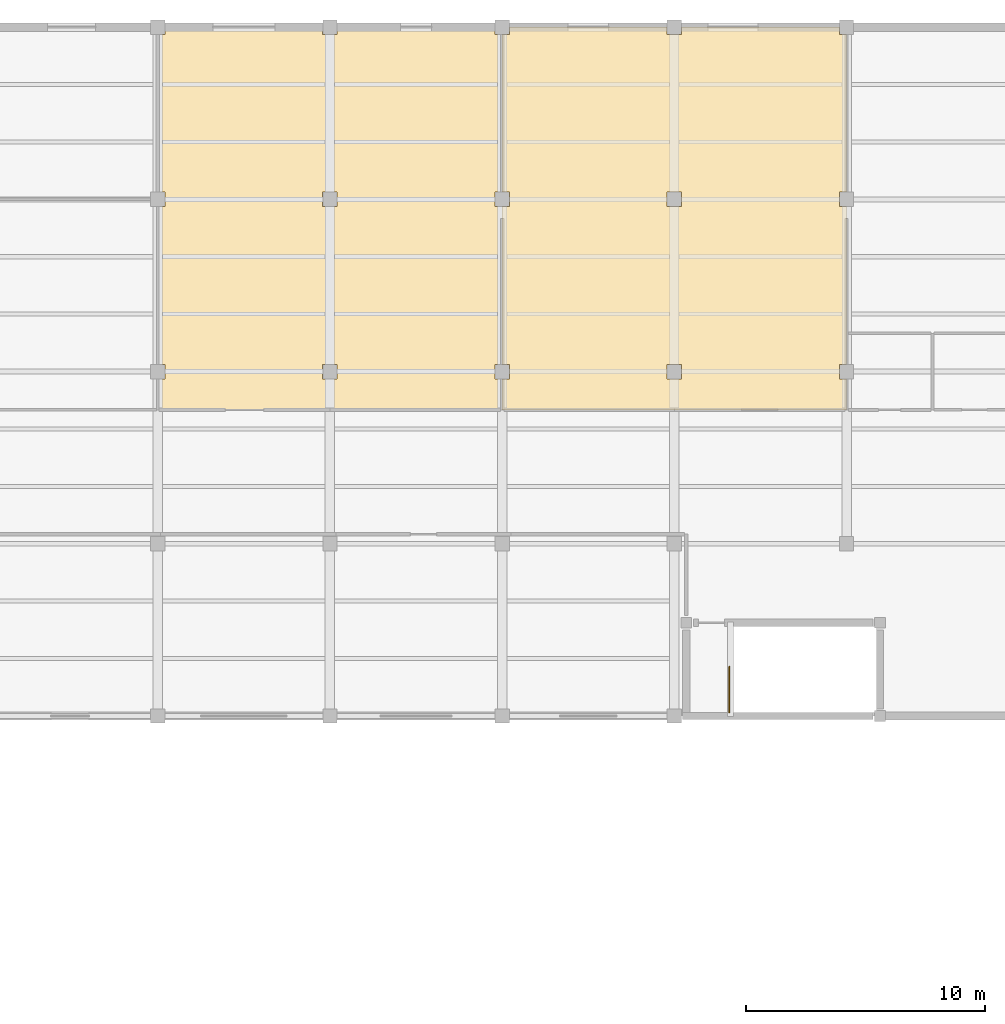
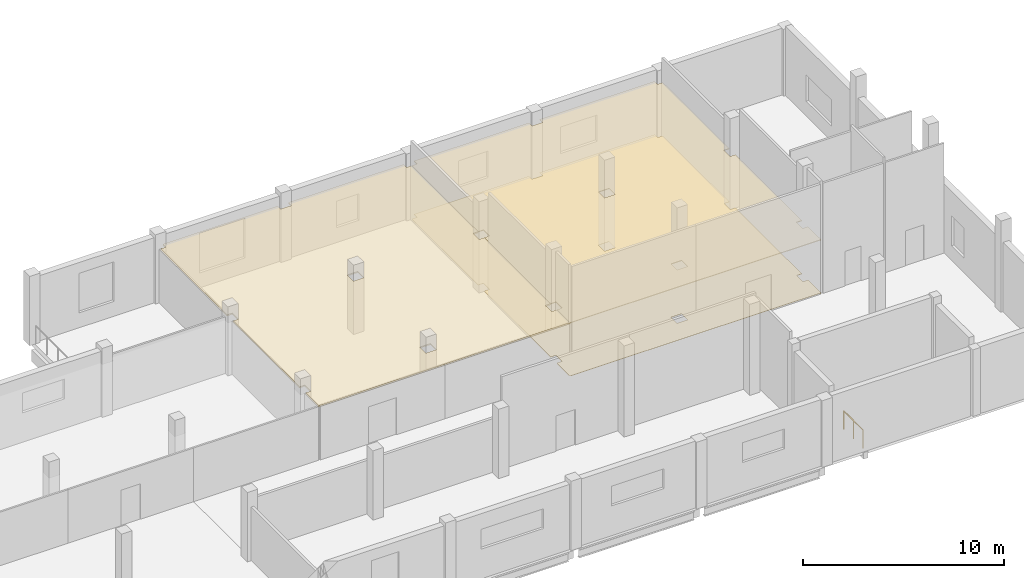
# One storey, part 48 of 48: 3 coverings, 1 railing.
"""IFC4 building model written with IfcOpenShell, lengths in metres."""

from ifc_helpers import new_model, si_unit, direction, frame, origin, origin_2d, place, context, subcontext, project, spatial, polyline, circle, outline, extrude, material, layer, layer_set, type_object, element, save


model = new_model("IFC4")

# Units and contexts
model_context = context("Model", 3, precision=1e-05, world=origin(), true_north=direction((0.0, 1.0)))
body_context = subcontext(model_context, "Body", "Model", "MODEL_VIEW")
ifc_project = project(units=[si_unit("LENGTHUNIT", "METRE"), si_unit("AREAUNIT", "SQUARE_METRE"), si_unit("VOLUMEUNIT", "CUBIC_METRE"), si_unit("PLANEANGLEUNIT", "RADIAN"), si_unit("MASSUNIT", "GRAM", prefix="KILO"), si_unit("THERMODYNAMICTEMPERATUREUNIT", "KELVIN"), si_unit("POWERUNIT", "WATT")], contexts=[model_context])

# Site, building, storey
site_placement = place(None, origin())
site = spatial("IfcSite", under=ifc_project, at=site_placement, CompositionType="ELEMENT")
building_placement = place(site_placement, origin())
building = spatial("IfcBuilding", under=site, at=building_placement, Name="Kaldorven Railside Theatre", CompositionType="ELEMENT")
storey_placement = place(building_placement, frame((0.0, 0.0, 18.89990234375)))
storey = spatial("IfcBuildingStorey", under=building, at=storey_placement, Name="L04", CompositionType="ELEMENT", Elevation=18.89990234375)

# Coverings
ifc_material_1 = material(Name="Acoustic gypsum board")
ifc_layer_1 = layer(ifc_material_1, 0.0400390625, Name="Acoustic gypsum board")
ifc_layer_set_1 = layer_set([ifc_layer_1], Name="Acoustic gypsum board")
covering_type_1 = type_object("IfcCoveringType", Name="COV-CLG-01", PredefinedType="CEILING", material=ifc_layer_set_1)
covering_1_placement = place(storey_placement, frame((0.0, 0.0, 3.210205078125)))
element("IfcCovering", 1, at=covering_1_placement, inside=storey, type_object=covering_type_1, Name="Company Canteen Acoustic Ceiling 025", PredefinedType="CEILING", context=body_context, shape_type="SweptSolid", body=[
    extrude(outline(polyline([(159.199951171875, 125.60009765625), (144.800048828125, 125.60009765625), (144.800048828125, 126.89794921875), (145.10205078125, 126.89794921875), (145.10205078125, 127.501953125), (144.800048828125, 127.501953125), (144.800048828125, 134.097900390625), (145.10205078125, 134.097900390625), (145.10205078125, 134.701904296875), (144.800048828125, 134.701904296875), (144.800048828125, 141.298095703125), (145.10205078125, 141.298095703125), (145.10205078125, 141.60009765625), (151.697998046875, 141.60009765625), (151.697998046875, 141.298095703125), (152.302001953125, 141.298095703125), (152.302001953125, 141.60009765625), (158.89794921875, 141.60009765625), (158.89794921875, 141.298095703125), (159.199951171875, 141.298095703125), (159.199951171875, 134.701904296875), (158.89794921875, 134.701904296875), (158.89794921875, 134.097900390625), (159.199951171875, 134.097900390625), (159.199951171875, 127.501953125), (158.89794921875, 127.501953125), (158.89794921875, 126.89794921875), (159.199951171875, 126.89794921875), (159.199951171875, 125.60009765625)]), holes=[polyline([(151.697998046875, 126.89794921875), (152.302001953125, 126.89794921875), (152.302001953125, 127.501953125), (151.697998046875, 127.501953125), (151.697998046875, 126.89794921875)]), polyline([(151.697998046875, 134.097900390625), (152.302001953125, 134.097900390625), (152.302001953125, 134.701904296875), (151.697998046875, 134.701904296875), (151.697998046875, 134.097900390625)])]), origin(), (0.0, 0.0, 1.0), 0.039794921875),
])
ifc_material_2 = material(Name="Acoustic hardwood timber", Category="wood")
ifc_layer_2 = layer(ifc_material_2, 0.080078125, Name="Acoustic hardwood timber")
ifc_layer_set_2 = layer_set([ifc_layer_2], Name="Acoustic hardwood timber")
covering_type_2 = type_object("IfcCoveringType", Name="COV-CLG-02", PredefinedType="CEILING", material=ifc_layer_set_2)
covering_2_placement = place(storey_placement, frame((0.0, 0.0, 3.170166015625)))
element("IfcCovering", 2, at=covering_2_placement, inside=storey, type_object=covering_type_2, Name="Production Design Studio Acoustic Ceiling 024", PredefinedType="CEILING", context=body_context, shape_type="SweptSolid", body=[
    extrude(outline(polyline([(144.800048828125, 125.60009765625), (130.39990234375, 125.60009765625), (130.39990234375, 126.89794921875), (130.701904296875, 126.89794921875), (130.701904296875, 127.501953125), (130.39990234375, 127.501953125), (130.39990234375, 134.097900390625), (130.701904296875, 134.097900390625), (130.701904296875, 134.701904296875), (130.39990234375, 134.701904296875), (130.39990234375, 141.298095703125), (130.701904296875, 141.298095703125), (130.701904296875, 141.60009765625), (137.298095703125, 141.60009765625), (137.298095703125, 141.298095703125), (137.902099609375, 141.298095703125), (137.902099609375, 141.60009765625), (144.498046875, 141.60009765625), (144.498046875, 141.298095703125), (144.800048828125, 141.298095703125), (144.800048828125, 134.701904296875), (144.498046875, 134.701904296875), (144.498046875, 134.097900390625), (144.800048828125, 134.097900390625), (144.800048828125, 127.501953125), (144.498046875, 127.501953125), (144.498046875, 126.89794921875), (144.800048828125, 126.89794921875), (144.800048828125, 125.60009765625)]), holes=[polyline([(137.298095703125, 134.097900390625), (137.902099609375, 134.097900390625), (137.902099609375, 134.701904296875), (137.298095703125, 134.701904296875), (137.298095703125, 134.097900390625)]), polyline([(137.298095703125, 127.501953125), (137.298095703125, 126.89794921875), (137.902099609375, 126.89794921875), (137.902099609375, 127.501953125), (137.298095703125, 127.501953125)])]), origin(), (0.0, 0.0, 1.0), 0.079833984375),
])
ifc_material_3 = material(Name="Terrazzo stone finish", Category="masonry")
ifc_layer_3 = layer(ifc_material_3, 0.02001953125, Name="Terrazzo stone finish")
ifc_layer_set_3 = layer_set([ifc_layer_3], Name="Terrazzo stone finish")
covering_type_3 = type_object("IfcCoveringType", Name="COV-FLR-02", PredefinedType="FLOORING", material=ifc_layer_set_3)
covering_3_placement = place(storey_placement, origin())
element("IfcCovering", 3, at=covering_3_placement, inside=storey, type_object=covering_type_3, Name="Company Canteen Finish Flooring FLR-011", PredefinedType="FLOORING", context=body_context, shape_type="SweptSolid", body=[
    extrude(outline(polyline([(159.199951171875, 125.60009765625), (144.800048828125, 125.60009765625), (144.800048828125, 126.89794921875), (145.10205078125, 126.89794921875), (145.10205078125, 127.501953125), (144.800048828125, 127.501953125), (144.800048828125, 134.097900390625), (145.10205078125, 134.097900390625), (145.10205078125, 134.701904296875), (144.800048828125, 134.701904296875), (144.800048828125, 141.298095703125), (145.10205078125, 141.298095703125), (145.10205078125, 141.60009765625), (151.697998046875, 141.60009765625), (151.697998046875, 141.298095703125), (152.302001953125, 141.298095703125), (152.302001953125, 141.60009765625), (158.89794921875, 141.60009765625), (158.89794921875, 141.298095703125), (159.199951171875, 141.298095703125), (159.199951171875, 134.701904296875), (158.89794921875, 134.701904296875), (158.89794921875, 134.097900390625), (159.199951171875, 134.097900390625), (159.199951171875, 127.501953125), (158.89794921875, 127.501953125), (158.89794921875, 126.89794921875), (159.199951171875, 126.89794921875), (159.199951171875, 125.60009765625)]), holes=[polyline([(151.697998046875, 126.89794921875), (152.302001953125, 126.89794921875), (152.302001953125, 127.501953125), (151.697998046875, 127.501953125), (151.697998046875, 126.89794921875)]), polyline([(151.697998046875, 134.097900390625), (152.302001953125, 134.097900390625), (152.302001953125, 134.701904296875), (151.697998046875, 134.701904296875), (151.697998046875, 134.097900390625)])]), origin(), (0.0, 0.0, 1.0), 0.02001953125),
])

# Railing
ifc_material_4 = material(Name="Steel S355", Category="steel")
railing_type = type_object("IfcRailingType", Name="RLG-STG-1100", PredefinedType="BALUSTRADE", material=ifc_material_4)
railing_placement = place(storey_placement, frame((154.300048828125, 112.949951171875, 0.0)))
element("IfcRailing", 4, at=railing_placement, inside=storey, type_object=railing_type, Name="L04 ST-08 top well guard 1", PredefinedType="BALUSTRADE", context=body_context, shape_type="SweptSolid", body=[
    extrude(circle(Radius=0.02392578125, at=origin_2d()), frame((0.0, 0.0, 1.09619140625), z_axis=(0.0, 1.0, 0.0), x_axis=(-1.0, 0.0, 0.0)), (0.0, 0.0, 1.0), 1.900146484375),
    extrude(circle(Radius=0.02099609375, at=origin_2d()), origin(), (0.0, 0.0, 1.0), 1.072021484375),
    extrude(circle(Radius=0.02099609375, at=origin_2d()), frame((0.0, 0.9501953125, 0.0)), (0.0, 0.0, 1.0), 1.072021484375),
    extrude(circle(Radius=0.02099609375, at=origin_2d()), frame((0.0, 1.900146484375, 0.0)), (0.0, 0.0, 1.0), 1.072021484375),
])

save(model, "model.ifc")
